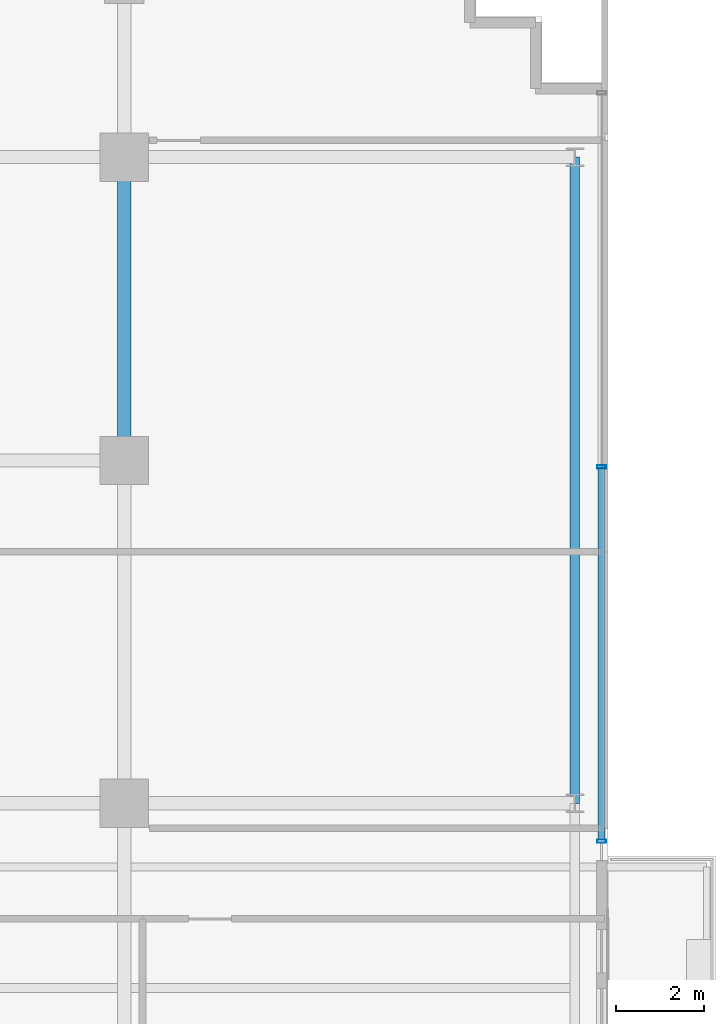
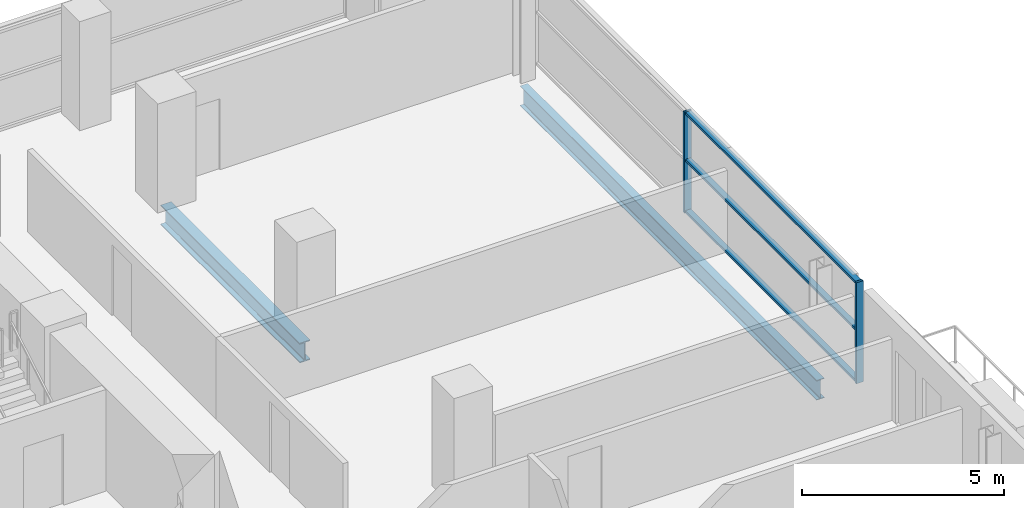
# One storey, part 11 of 26: 5 members, 2 beams, 1 element without a shape of its own.
"""IFC4 building model written with IfcOpenShell, lengths in metres."""

from ifc_helpers import new_model, si_unit, direction, frame, origin, origin_2d, place, context, subcontext, project, spatial, hollow_rectangle, i_section, extrude, source, transform, mapped, material, layer, layer_set, material_profile, profile_set, type_object, element, aggregate, save


model = new_model("IFC4")

# Units and contexts
model_context = context("Model", 3, precision=1e-05, world=origin(), true_north=direction((0.0, 1.0)))
body_context = subcontext(model_context, "Body", "Model", "MODEL_VIEW")
ifc_project = project(units=[si_unit("LENGTHUNIT", "METRE"), si_unit("AREAUNIT", "SQUARE_METRE"), si_unit("VOLUMEUNIT", "CUBIC_METRE"), si_unit("PLANEANGLEUNIT", "RADIAN"), si_unit("MASSUNIT", "GRAM", prefix="KILO")], contexts=[model_context])

# Site, building, storey
site_placement = place(None, origin())
site = spatial("IfcSite", under=ifc_project, at=site_placement, CompositionType="ELEMENT")
building_placement = place(site_placement, origin())
building = spatial("IfcBuilding", under=site, at=building_placement, Name="Zarnakvel Exchange Tower", CompositionType="ELEMENT")
storey_placement = place(building_placement, frame((0.0, 0.0, 63.699951171875)))
storey = spatial("IfcBuildingStorey", under=building, at=storey_placement, Name="L17", CompositionType="ELEMENT", Elevation=63.699951171875)

# Beams
ifc_material_1 = material(Name="Steel S355", Category="steel")
ifc_material_profile_1 = material_profile(ifc_material_1, i_section(OverallWidth=0.300048828125, OverallDepth=0.60009765625, WebThickness=0.015380859375, FlangeThickness=0.030029296875, FilletRadius=0.027099609375, at=origin_2d()))
ifc_profile_set_1 = profile_set([ifc_material_profile_1], Name="Steel S355")
beam_type_1 = type_object("IfcBeamType", Name="G-04", PredefinedType="BEAM", material=ifc_profile_set_1)
beam_1_placement = place(storey_placement, frame((21.60009765625, 6.60009765625, -0.52490234375), z_axis=(0.0, 1.0, 0.0), x_axis=(-1.0, 0.0, 0.0)))
element("IfcBeam", 1, at=beam_1_placement, inside=storey, type_object=beam_type_1, Name="L17 Tower N-S Frame Beam", PredefinedType="BEAM", context=body_context, shape_type="SweptSolid", body=[
    extrude(i_section(OverallWidth=0.300048828125, OverallDepth=0.60009765625, WebThickness=0.015380859375, FlangeThickness=0.030029296875, FilletRadius=0.027099609375, at=origin_2d()), origin(), (0.0, 0.0, 1.0), 6.89990234375),
])
ifc_material_profile_2 = material_profile(ifc_material_1, i_section(OverallWidth=0.219970703125, OverallDepth=0.60009765625, WebThickness=0.011962890625, FlangeThickness=0.01904296875, FilletRadius=0.02392578125, at=origin_2d()))
ifc_profile_set_2 = profile_set([ifc_material_profile_2], Name="Steel S355")
beam_type_2 = type_object("IfcBeamType", Name="SP-01", PredefinedType="SPANDREL", material=ifc_profile_set_2)
beam_2_placement = place(storey_placement, frame((31.85009765625, -1.199951171875, -0.52490234375), z_axis=(0.0, 1.0, 0.0), x_axis=(-1.0, 0.0, 0.0)))
element("IfcBeam", 2, at=beam_2_placement, inside=storey, type_object=beam_type_2, Name="L17 Tower N-S Frame Beam", PredefinedType="SPANDREL", context=body_context, shape_type="SweptSolid", body=[
    extrude(i_section(OverallWidth=0.219970703125, OverallDepth=0.60009765625, WebThickness=0.011962890625, FlangeThickness=0.01904296875, FilletRadius=0.02392578125, at=origin_2d()), origin(), (0.0, 0.0, 1.0), 14.699951171875),
])

# Curtain wall, members
ifc_material_2 = material(Name="Architectural Bronze Anodised Aluminium", Category="aluminium")
ifc_layer = layer(ifc_material_2, 0.199951171875)
ifc_layer_set = layer_set([ifc_layer], Name="Architectural Bronze Anodised Aluminium")
curtain_wall_type = type_object("IfcCurtainWallType", Name="CW-04", PredefinedType="NOTDEFINED", material=ifc_layer_set)
curtain_wall_placement = place(storey_placement, origin())
curtain_wall = element("IfcCurtainWall", 3, at=curtain_wall_placement, inside=storey, type_object=curtain_wall_type, Name="L17 Curtain Wall CW-L17-EN (CW-04)", PredefinedType="NOTDEFINED")
ifc_material_profile_3 = material_profile(ifc_material_2, hollow_rectangle(XDim=0.159912109375, YDim=0.074951171875, WallThickness=0.00390625, at=origin_2d()))
ifc_profile_set_3 = profile_set([ifc_material_profile_3], Name="Architectural Bronze Anodised Aluminium")
member_type_1 = type_object("IfcMemberType", Name="CWT-04", PredefinedType="USERDEFINED", material=ifc_profile_set_3)
shared_shape_1 = source(origin(), body_context, "Body", "SweptSolid", [
    extrude(hollow_rectangle(XDim=0.159912109375, YDim=0.074951171875, WallThickness=0.00390625, at=origin_2d()), origin(), (0.0, 0.0, 1.0), 8.4375),
])
member_1_placement = place(storey_placement, frame((32.4599609375, -2.02490234375, 0.03759765625), z_axis=(0.0, 1.0, 0.0), x_axis=(-1.0, 0.0, 0.0)))
member_1 = element("IfcMember", 4, at=member_1_placement, type_object=member_type_1, Name="CW-04 transom 1.1", ObjectType="TRANSOM", PredefinedType="USERDEFINED", context=body_context, shape_type="MappedRepresentation", body=[
    mapped(shared_shape_1, transform((0.0, 0.0, 0.0), x_axis=(1.0, 0.0, 0.0), y_axis=(0.0, 1.0, 0.0), z_axis=(0.0, 0.0, 1.0), scale=1.0)),
])
member_2_placement = place(storey_placement, frame((32.4599609375, -2.02490234375, 1.588623046875), z_axis=(0.0, 1.0, 0.0), x_axis=(-1.0, 0.0, 0.0)))
member_2 = element("IfcMember", 5, at=member_2_placement, type_object=member_type_1, Name="CW-04 transom 1.2", ObjectType="TRANSOM", PredefinedType="USERDEFINED", context=body_context, shape_type="MappedRepresentation", body=[
    mapped(shared_shape_1, transform((0.0, 0.0, 0.0), x_axis=(1.0, 0.0, 0.0), y_axis=(0.0, 1.0, 0.0), z_axis=(0.0, 0.0, 1.0), scale=1.0)),
])
member_3_placement = place(storey_placement, frame((32.4599609375, -2.02490234375, 3.017578125), z_axis=(0.0, 1.0, 0.0), x_axis=(-1.0, 0.0, 0.0)))
member_3 = element("IfcMember", 6, at=member_3_placement, type_object=member_type_1, Name="CW-04 transom 1.3", ObjectType="TRANSOM", PredefinedType="USERDEFINED", context=body_context, shape_type="MappedRepresentation", body=[
    mapped(shared_shape_1, transform((0.0, 0.0, 0.0), x_axis=(1.0, 0.0, 0.0), y_axis=(0.0, 1.0, 0.0), z_axis=(0.0, 0.0, 1.0), scale=1.0)),
])
ifc_material_profile_4 = material_profile(ifc_material_2, hollow_rectangle(XDim=0.199951171875, YDim=0.074951171875, WallThickness=0.0048828125, at=origin_2d()))
ifc_profile_set_4 = profile_set([ifc_material_profile_4], Name="Architectural Bronze Anodised Aluminium")
member_type_2 = type_object("IfcMemberType", Name="CWM-04", PredefinedType="MULLION", material=ifc_profile_set_4)
shared_shape_2 = source(origin(), body_context, "Body", "SweptSolid", [
    extrude(hollow_rectangle(XDim=0.199951171875, YDim=0.074951171875, WallThickness=0.0048828125, at=origin_2d()), origin(), (0.0, 0.0, 1.0), 3.054931640625),
])
member_4_placement = place(storey_placement, frame((32.4599609375, -2.0625, 0.0), z_axis=(0.0, 0.0, 1.0), x_axis=(-1.0, 0.0, 0.0)))
member_4 = element("IfcMember", 7, at=member_4_placement, type_object=member_type_2, Name="CW-04 mullion 1", PredefinedType="MULLION", context=body_context, shape_type="MappedRepresentation", body=[
    mapped(shared_shape_2, transform((0.0, 0.0, 0.0), x_axis=(1.0, 0.0, 0.0), y_axis=(0.0, 1.0, 0.0), z_axis=(0.0, 0.0, 1.0), scale=1.0)),
])
member_5_placement = place(storey_placement, frame((32.4599609375, 6.449951171875, 0.0), z_axis=(0.0, 0.0, 1.0), x_axis=(-1.0, 0.0, 0.0)))
member_5 = element("IfcMember", 8, at=member_5_placement, type_object=member_type_2, Name="CW-04 mullion 2", PredefinedType="MULLION", context=body_context, shape_type="MappedRepresentation", body=[
    mapped(shared_shape_2, transform((0.0, 0.0, 0.0), x_axis=(1.0, 0.0, 0.0), y_axis=(0.0, 1.0, 0.0), z_axis=(0.0, 0.0, 1.0), scale=1.0)),
])
aggregate(curtain_wall, [member_4, member_5, member_1, member_2, member_3])

save(model, "model.ifc")
